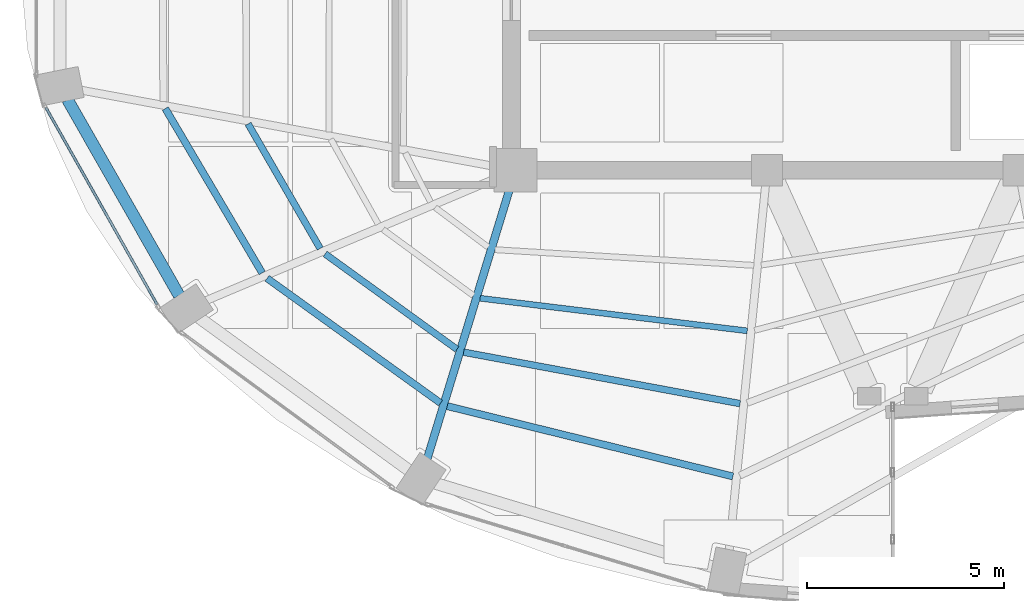
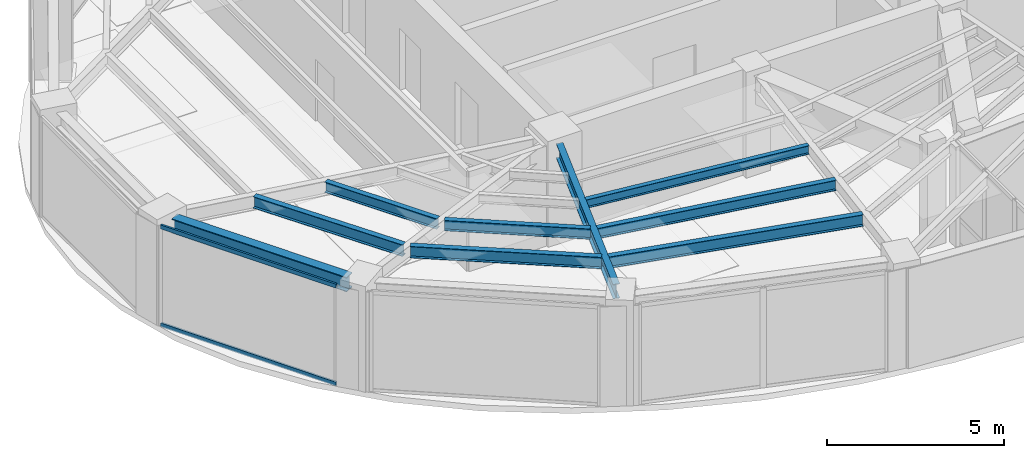
# One storey, part 3 of 22: 9 beams, 2 members, 1 element without a shape of its own.
"""IFC4 building model written with IfcOpenShell, lengths in metres."""

from ifc_helpers import new_model, si_unit, direction, frame, origin, origin_2d, place, context, subcontext, project, spatial, hollow_rectangle, i_section, extrude, material, layer, layer_set, material_profile, profile_set, type_object, element, aggregate, save


model = new_model("IFC4")

# Units and contexts
model_context = context("Model", 3, precision=1e-05, world=origin(), true_north=direction((0.0, 1.0)))
body_context = subcontext(model_context, "Body", "Model", "MODEL_VIEW")
ifc_project = project(units=[si_unit("LENGTHUNIT", "METRE"), si_unit("AREAUNIT", "SQUARE_METRE"), si_unit("VOLUMEUNIT", "CUBIC_METRE"), si_unit("PLANEANGLEUNIT", "RADIAN"), si_unit("MASSUNIT", "GRAM", prefix="KILO")], contexts=[model_context])

# Site, building, storey
site_placement = place(None, origin())
site = spatial("IfcSite", under=ifc_project, at=site_placement, CompositionType="ELEMENT")
building_placement = place(site_placement, origin())
building = spatial("IfcBuilding", under=site, at=building_placement, Name="Lazwardi Medical Tower", CompositionType="ELEMENT")
storey_placement = place(building_placement, frame((0.0, 0.0, 251.3759765625)))
storey = spatial("IfcBuildingStorey", under=building, at=storey_placement, Name="L65", CompositionType="ELEMENT", Elevation=251.3759765625)

# Beams
ifc_material_1 = material(Name="Steel S355", Category="steel")
ifc_material_profile_1 = material_profile(ifc_material_1, i_section(OverallWidth=0.300048828125, OverallDepth=0.5, WebThickness=0.014404296875, FlangeThickness=0.028076171875, at=origin_2d()), Name="HEB 500")
ifc_profile_set_1 = profile_set([ifc_material_profile_1], Name="Steel S355")
beam_type_1 = type_object("IfcBeamType", Name="BM-RB-Z4", PredefinedType="BEAM", material=ifc_profile_set_1)
beam_1_placement = place(storey_placement, frame((15.008056640625, 22.1982421875, 3.197998046875), z_axis=(0.495125273299, -0.868821594886, 0.0), x_axis=(0.868821594886, 0.495125273299, 0.0)))
element("IfcBeam", 1, at=beam_1_placement, inside=storey, type_object=beam_type_1, Name="Ring beam RB-05 B13 L65", PredefinedType="BEAM", context=body_context, shape_type="SweptSolid", body=[
    extrude(i_section(OverallWidth=0.300048828125, OverallDepth=0.5, WebThickness=0.014404296875, FlangeThickness=0.028076171875, at=origin_2d()), origin(), (0.0, 0.0, 1.0), 5.734130859375),
])
ifc_material_profile_2 = material_profile(ifc_material_1, i_section(OverallWidth=0.199951171875, OverallDepth=0.5, WebThickness=0.01025390625, FlangeThickness=0.01611328125, at=origin_2d()), Name="IPE 500")
ifc_profile_set_2 = profile_set([ifc_material_profile_2], Name="Steel S355")
beam_type_2 = type_object("IfcBeamType", Name="BM-RG-W3", PredefinedType="BEAM", material=ifc_profile_set_2)
beam_2_placement = place(storey_placement, frame((24.156005859375, 13.0576171875, 3.197998046875), z_axis=(0.292276716539, 0.956333791607, 0.0), x_axis=(-0.956333791607, 0.292276716539, 0.0)))
element("IfcBeam", 2, at=beam_2_placement, inside=storey, type_object=beam_type_2, Name="Radial girder RG-04 R15 L65", PredefinedType="BEAM", context=body_context, shape_type="SweptSolid", body=[
    extrude(i_section(OverallWidth=0.199951171875, OverallDepth=0.5, WebThickness=0.01025390625, FlangeThickness=0.01611328125, at=origin_2d()), origin(), (0.0, 0.0, 1.0), 7.142822265625),
])
ifc_material_profile_3 = material_profile(ifc_material_1, i_section(OverallWidth=0.179931640625, OverallDepth=0.39990234375, WebThickness=0.008544921875, FlangeThickness=0.013427734375, at=origin_2d()), Name="IPE 400")
ifc_profile_set_3 = profile_set([ifc_material_profile_3], Name="Steel S355")
beam_type_3 = type_object("IfcBeamType", Name="BM-SJ-01", PredefinedType="JOIST", material=ifc_profile_set_3)
beam_3_placement = place(storey_placement, frame((17.495849609375, 21.969482421875, 3.248046875), z_axis=(0.507710311367, -0.861527851977, 0.0), x_axis=(0.861527851977, 0.507710311367, 0.0)))
element("IfcBeam", 3, at=beam_3_placement, inside=storey, type_object=beam_type_3, Name="Secondary joist SJ-01 R1 B13 L65", PredefinedType="JOIST", context=body_context, shape_type="SweptSolid", body=[
    extrude(i_section(OverallWidth=0.179931640625, OverallDepth=0.39990234375, WebThickness=0.008544921875, FlangeThickness=0.013427734375, at=origin_2d()), origin(), (0.0, 0.0, 1.0), 4.852783203125),
])
beam_4_placement = place(storey_placement, frame((20.085205078125, 17.651123046875, 3.248046875), z_axis=(0.811889581337, -0.58381102055, 0.0), x_axis=(0.58381102055, 0.811889581337, 0.0)))
element("IfcBeam", 4, at=beam_4_placement, inside=storey, type_object=beam_type_3, Name="Secondary joist SJ-01 R1 B14 L65", PredefinedType="JOIST", context=body_context, shape_type="SweptSolid", body=[
    extrude(i_section(OverallWidth=0.179931640625, OverallDepth=0.39990234375, WebThickness=0.008544921875, FlangeThickness=0.013427734375, at=origin_2d()), origin(), (0.0, 0.0, 1.0), 5.433349609375),
])
beam_5_placement = place(storey_placement, frame((24.665771484375, 14.40087890625, 3.248046875), z_axis=(0.971041669317, -0.238910184904, 0.0), x_axis=(0.238910184904, 0.971041669317, 0.0)))
element("IfcBeam", 5, at=beam_5_placement, inside=storey, type_object=beam_type_3, Name="Secondary joist SJ-01 R1 B15 L65", PredefinedType="JOIST", context=body_context, shape_type="SweptSolid", body=[
    extrude(i_section(OverallWidth=0.179931640625, OverallDepth=0.39990234375, WebThickness=0.008544921875, FlangeThickness=0.013427734375, at=origin_2d()), origin(), (0.0, 0.0, 1.0), 7.482421875),
])
ifc_material_profile_4 = material_profile(ifc_material_1, i_section(OverallWidth=0.169921875, OverallDepth=0.360107421875, WebThickness=0.008056640625, FlangeThickness=0.0126953125, at=origin_2d()), Name="IPE 360")
ifc_profile_set_4 = profile_set([ifc_material_profile_4], Name="Steel S355")
beam_type_4 = type_object("IfcBeamType", Name="BM-SJ-02", PredefinedType="JOIST", material=ifc_profile_set_4)
beam_6_placement = place(storey_placement, frame((19.601806640625, 21.58056640625, 3.26806640625), z_axis=(0.500655179543, -0.865646805109, 0.0), x_axis=(0.865646805109, 0.500655179543, 0.0)))
element("IfcBeam", 6, at=beam_6_placement, inside=storey, type_object=beam_type_4, Name="Secondary joist SJ-02 R2 B13 L65", PredefinedType="JOIST", context=body_context, shape_type="SweptSolid", body=[
    extrude(i_section(OverallWidth=0.169921875, OverallDepth=0.360107421875, WebThickness=0.008056640625, FlangeThickness=0.0126953125, at=origin_2d()), origin(), (0.0, 0.0, 1.0), 3.662109375),
])
beam_7_placement = place(storey_placement, frame((21.559814453125, 18.2724609375, 3.26806640625), z_axis=(0.810164229155, -0.586202969796, 0.0), x_axis=(0.586202969796, 0.810164229155, 0.0)))
element("IfcBeam", 7, at=beam_7_placement, inside=storey, type_object=beam_type_4, Name="Secondary joist SJ-02 R2 B14 L65", PredefinedType="JOIST", context=body_context, shape_type="SweptSolid", body=[
    extrude(i_section(OverallWidth=0.169921875, OverallDepth=0.360107421875, WebThickness=0.008056640625, FlangeThickness=0.0126953125, at=origin_2d()), origin(), (0.0, 0.0, 1.0), 4.14013671875),
])
beam_8_placement = place(storey_placement, frame((25.08447265625, 15.7724609375, 3.26806640625), z_axis=(0.983132476587, -0.182894870019, 0.0), x_axis=(0.182894870019, 0.983132476587, 0.0)))
element("IfcBeam", 8, at=beam_8_placement, inside=storey, type_object=beam_type_4, Name="Secondary joist SJ-02 R2 B15 L65", PredefinedType="JOIST", context=body_context, shape_type="SweptSolid", body=[
    extrude(i_section(OverallWidth=0.169921875, OverallDepth=0.360107421875, WebThickness=0.008056640625, FlangeThickness=0.0126953125, at=origin_2d()), origin(), (0.0, 0.0, 1.0), 7.15087890625),
])
ifc_material_profile_5 = material_profile(ifc_material_1, i_section(OverallWidth=0.14990234375, OverallDepth=0.300048828125, WebThickness=0.007080078125, FlangeThickness=0.0107421875, at=origin_2d()), Name="IPE 300")
ifc_profile_set_5 = profile_set([ifc_material_profile_5], Name="Steel S355")
beam_type_5 = type_object("IfcBeamType", Name="BM-SJ-03", PredefinedType="JOIST", material=ifc_profile_set_5)
beam_9_placement = place(storey_placement, frame((25.5029296875, 17.14453125, 3.298095703125), z_axis=(0.992634689535, -0.121146081783, 0.0), x_axis=(0.121146081783, 0.992634689535, 0.0)))
element("IfcBeam", 9, at=beam_9_placement, inside=storey, type_object=beam_type_5, Name="Secondary joist SJ-03 R3 B15 L65", PredefinedType="JOIST", context=body_context, shape_type="SweptSolid", body=[
    extrude(i_section(OverallWidth=0.14990234375, OverallDepth=0.300048828125, WebThickness=0.007080078125, FlangeThickness=0.0107421875, at=origin_2d()), origin(), (0.0, 0.0, 1.0), 6.845947265625),
])

# Curtain wall, members
ifc_material_2 = material(Name="Anodised bronze aluminium and solar control glazing", Category="aluminium")
ifc_layer = layer(ifc_material_2, 0.18994140625)
ifc_layer_set = layer_set([ifc_layer], Name="Anodised bronze aluminium and solar control glazing")
curtain_wall_type = type_object("IfcCurtainWallType", Name="CW-SYS-04", PredefinedType="NOTDEFINED", material=ifc_layer_set)
curtain_wall_placement = place(storey_placement, origin())
curtain_wall = element("IfcCurtainWall", 10, at=curtain_wall_placement, inside=storey, type_object=curtain_wall_type, Name="L65 Unitised bronze curtain wall CW-04", PredefinedType="NOTDEFINED")
ifc_material_3 = material(Name="Anodised bronze aluminium", Category="aluminium")
ifc_material_profile_6 = material_profile(ifc_material_3, hollow_rectangle(XDim=0.06494140625, YDim=0.139892578125, WallThickness=0.00341796875, at=origin_2d()), Name="ALU-TRANSOM 140x65x3.5")
ifc_profile_set_6 = profile_set([ifc_material_profile_6], Name="Anodised bronze aluminium")
member_type = type_object("IfcMemberType", Name="CW-TRN-03", PredefinedType="USERDEFINED", material=ifc_profile_set_6)
member_1_placement = place(storey_placement, frame((14.458740234375, 21.993408203125, 0.032470703125), z_axis=(0.491897887635, -0.870652897623, 0.0), x_axis=(0.870652897623, 0.491897887635, 0.0)))
member_1 = element("IfcMember", 11, at=member_1_placement, type_object=member_type, Name="CW-04 transom 1.1", ObjectType="TRANSOM", PredefinedType="USERDEFINED", context=body_context, shape_type="SweptSolid", body=[
    extrude(hollow_rectangle(XDim=0.06494140625, YDim=0.139892578125, WallThickness=0.00341796875, at=origin_2d()), origin(), (0.0, 0.0, 1.0), 5.7548828125),
])
member_2_placement = place(storey_placement, frame((14.458740234375, 21.993408203125, 3.41552734375), z_axis=(0.491897887635, -0.870652897623, 0.0), x_axis=(0.870652897623, 0.491897887635, 0.0)))
member_2 = element("IfcMember", 12, at=member_2_placement, type_object=member_type, Name="CW-04 transom 1.2", ObjectType="TRANSOM", PredefinedType="USERDEFINED", context=body_context, shape_type="SweptSolid", body=[
    extrude(hollow_rectangle(XDim=0.06494140625, YDim=0.139892578125, WallThickness=0.00341796875, at=origin_2d()), origin(), (0.0, 0.0, 1.0), 5.7548828125),
])
aggregate(curtain_wall, [member_1, member_2])

save(model, "model.ifc")
